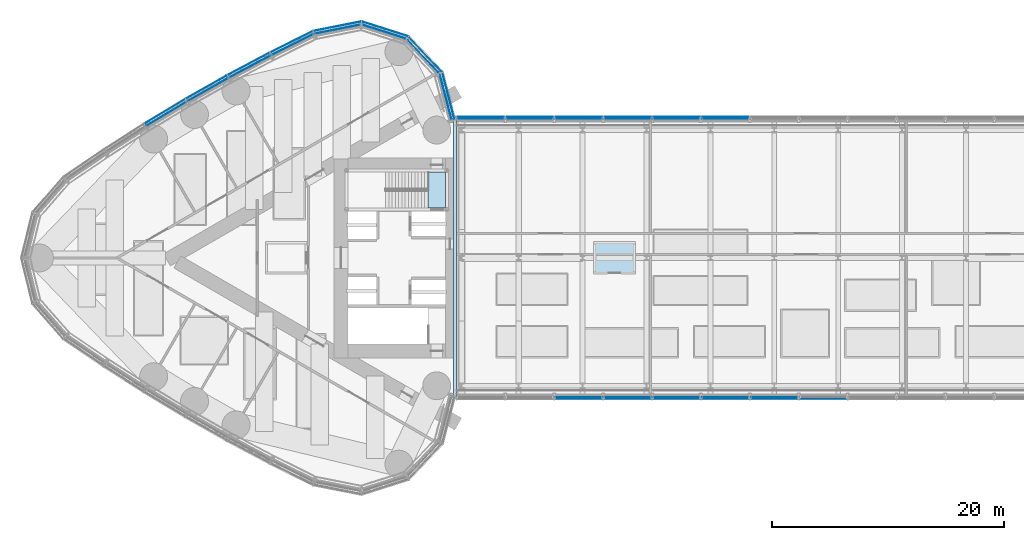
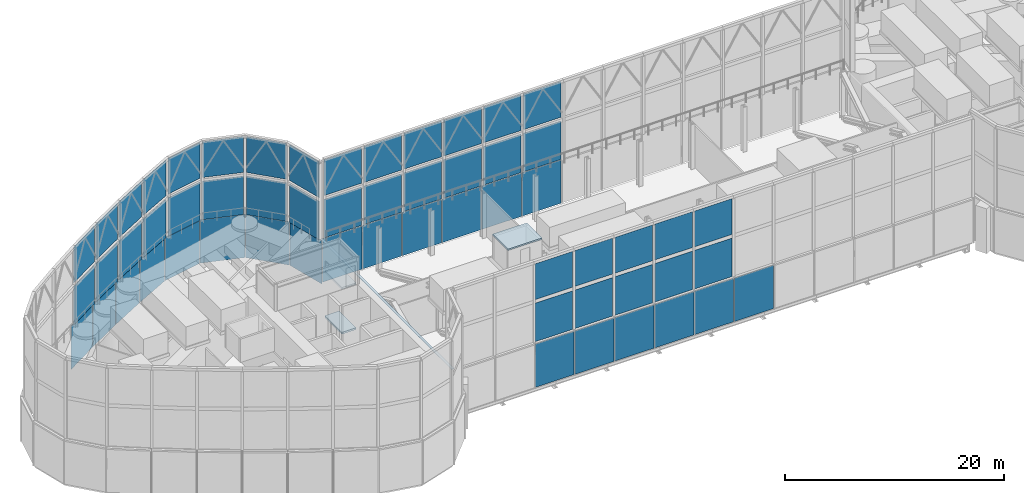
# One storey, part 23 of 33: 60 plates, 2 slabs, 7 elements without a shape of their own.
"""IFC4 building model written with IfcOpenShell, lengths in metres."""

from ifc_helpers import new_model, si_unit, direction, frame, origin, origin_2d, place, context, subcontext, project, spatial, polyline, rectangle, outline, extrude, material, layer, layer_set, type_object, element, aggregate, save


model = new_model("IFC4")

# Units and contexts
model_context = context("Model", 3, precision=1e-05, world=origin(), true_north=direction((0.0, 1.0)))
body_context = subcontext(model_context, "Body", "Model", "MODEL_VIEW")
ifc_project = project(units=[si_unit("LENGTHUNIT", "METRE"), si_unit("AREAUNIT", "SQUARE_METRE"), si_unit("VOLUMEUNIT", "CUBIC_METRE"), si_unit("PLANEANGLEUNIT", "RADIAN"), si_unit("MASSUNIT", "GRAM", prefix="KILO")], contexts=[model_context])

# Site, building, storey
site_placement = place(None, origin())
site = spatial("IfcSite", under=ifc_project, at=site_placement, CompositionType="ELEMENT")
building_placement = place(site_placement, origin())
building = spatial("IfcBuilding", under=site, at=building_placement, Name="Lancet Gate Hotel", CompositionType="ELEMENT")
storey_placement = place(building_placement, frame((0.0, 0.0, 268.300048828125)))
storey = spatial("IfcBuildingStorey", under=building, at=storey_placement, Name="L70", CompositionType="ELEMENT", Elevation=268.300048828125)

# Curtain wall, plates
ifc_material_1 = material(Name="Aluminium curtain wall", Category="aluminium")
curtain_wall_type_1 = type_object("IfcCurtainWallType", Name="Lantern crown glazing", PredefinedType="USERDEFINED", material=ifc_material_1)
curtain_wall_1_placement = place(storey_placement, origin())
curtain_wall_1 = element("IfcCurtainWall", 1, at=curtain_wall_1_placement, inside=storey, type_object=curtain_wall_type_1, Name="T1 L70 curtain wall 1", ObjectType="LANTERN GLAZING", PredefinedType="USERDEFINED")
ifc_material_2 = material(Name="Laminated low-iron glass 12-12", Category="glass")
ifc_layer_1 = layer(ifc_material_2, 0.02392578125)
ifc_layer_set_1 = layer_set([ifc_layer_1], Name="Lantern glass panel")
plate_type_1 = type_object("IfcPlateType", Name="Lantern glass panel", PredefinedType="CURTAIN_PANEL", material=ifc_layer_set_1)
plate_1_placement = place(storey_placement, frame((-28.030029296875, 13.9169921875, 0.0), z_axis=(0.0, 0.0, 1.0), x_axis=(-0.249725827997, 0.968316586056, 0.0)))
plate_1 = element("IfcPlate", 2, at=plate_1_placement, type_object=plate_type_1, Name="T1 L70 curtain wall 1 panel 1", PredefinedType="CURTAIN_PANEL", context=body_context, shape_type="SweptSolid", body=[
    extrude(rectangle(XDim=4.180419921875, YDim=0.02392578125, at=origin_2d()), origin(), (0.0, 0.0, 1.0), 4.85009765625),
])
plate_2_placement = place(storey_placement, frame((-30.018310546875, 17.514892578125, 0.0), z_axis=(0.0, 0.0, 1.0), x_axis=(-0.686882887577, 0.726768118972, 0.0)))
plate_2 = element("IfcPlate", 3, at=plate_2_placement, type_object=plate_type_1, Name="T1 L70 curtain wall 1 panel 2", PredefinedType="CURTAIN_PANEL", context=body_context, shape_type="SweptSolid", body=[
    extrude(rectangle(XDim=4.180419921875, YDim=0.02392578125, at=origin_2d()), origin(), (0.0, 0.0, 1.0), 4.85009765625),
])
plate_3_placement = place(storey_placement, frame((-33.49853515625, 19.702880859375, 0.0), z_axis=(0.0, 0.0, 1.0), x_axis=(-0.952695666833, 0.303925922549, 0.0)))
plate_3 = element("IfcPlate", 4, at=plate_3_placement, type_object=plate_type_1, Name="T1 L70 curtain wall 1 panel 3", PredefinedType="CURTAIN_PANEL", context=body_context, shape_type="SweptSolid", body=[
    extrude(rectangle(XDim=4.180419921875, YDim=0.02392578125, at=origin_2d()), origin(), (0.0, 0.0, 1.0), 4.85009765625),
])
plate_4_placement = place(storey_placement, frame((-37.602783203125, 19.9345703125, 0.0), z_axis=(0.0, 0.0, 1.0), x_axis=(-0.980856647866, -0.194731189942, 0.0)))
plate_4 = element("IfcPlate", 5, at=plate_4_placement, type_object=plate_type_1, Name="T1 L70 curtain wall 1 panel 4", PredefinedType="CURTAIN_PANEL", context=body_context, shape_type="SweptSolid", body=[
    extrude(rectangle(XDim=4.180419921875, YDim=0.02392578125, at=origin_2d()), origin(), (0.0, 0.0, 1.0), 4.85009765625),
])
plate_5_placement = place(storey_placement, frame((-41.5419921875, 18.5966796875, 0.0), z_axis=(0.0, 0.0, 1.0), x_axis=(-0.895234030262, -0.445596264639, 0.0)))
plate_5 = element("IfcPlate", 6, at=plate_5_placement, type_object=plate_type_1, Name="T1 L70 curtain wall 1 panel 5", PredefinedType="CURTAIN_PANEL", context=body_context, shape_type="SweptSolid", body=[
    extrude(rectangle(XDim=4.084228515625, YDim=0.02392578125, at=origin_2d()), origin(), (0.0, 0.0, 1.0), 4.85009765625),
])
plate_6_placement = place(storey_placement, frame((-45.23095703125, 16.6982421875, 0.0), z_axis=(0.0, 0.0, 1.0), x_axis=(-0.882915941615, -0.469531085277, 0.0)))
plate_6 = element("IfcPlate", 7, at=plate_6_placement, type_object=plate_type_1, Name="T1 L70 curtain wall 1 panel 6", PredefinedType="CURTAIN_PANEL", context=body_context, shape_type="SweptSolid", body=[
    extrude(rectangle(XDim=4.084228515625, YDim=0.02392578125, at=origin_2d()), origin(), (0.0, 0.0, 1.0), 4.85009765625),
])
plate_7_placement = place(storey_placement, frame((-48.86767578125, 14.701171875, 0.0), z_axis=(0.0, 0.0, 1.0), x_axis=(-0.869958082404, -0.493125678565, 0.0)))
plate_7 = element("IfcPlate", 8, at=plate_7_placement, type_object=plate_type_1, Name="T1 L70 curtain wall 1 panel 7", PredefinedType="CURTAIN_PANEL", context=body_context, shape_type="SweptSolid", body=[
    extrude(rectangle(XDim=4.084228515625, YDim=0.02392578125, at=origin_2d()), origin(), (0.0, 0.0, 1.0), 4.85009765625),
])
plate_8_placement = place(storey_placement, frame((-52.44921875, 12.606689453125, 0.0), z_axis=(0.0, 0.0, 1.0), x_axis=(-0.85636984205, -0.516362947574, 0.0)))
plate_8 = element("IfcPlate", 9, at=plate_8_placement, type_object=plate_type_1, Name="T1 L70 curtain wall 1 panel 8", PredefinedType="CURTAIN_PANEL", context=body_context, shape_type="SweptSolid", body=[
    extrude(rectangle(XDim=4.084228515625, YDim=0.02392578125, at=origin_2d()), origin(), (0.0, 0.0, 1.0), 4.85009765625),
])
aggregate(curtain_wall_1, [plate_1, plate_2, plate_3, plate_4, plate_5, plate_6, plate_7, plate_8])

curtain_wall_2_placement = place(storey_placement, origin())
curtain_wall_2 = element("IfcCurtainWall", 10, at=curtain_wall_2_placement, inside=storey, type_object=curtain_wall_type_1, Name="Bridge block L70 curtain wall S", ObjectType="LANTERN GLAZING", PredefinedType="USERDEFINED")
plate_9_placement = place(storey_placement, frame((-16.830810546875, -12.1201171875, 0.0), z_axis=(0.0, 0.0, 1.0), x_axis=(1.0, 0.0, 0.0)))
plate_9 = element("IfcPlate", 11, at=plate_9_placement, type_object=plate_type_1, Name="Bridge block L70 curtain wall S panel 3", PredefinedType="CURTAIN_PANEL", context=body_context, shape_type="SweptSolid", body=[
    extrude(rectangle(XDim=4.142578125, YDim=0.02392578125, at=origin_2d()), origin(), (0.0, 0.0, 1.0), 4.85009765625),
])
plate_10_placement = place(storey_placement, frame((-12.623046875, -12.1201171875, 0.0), z_axis=(0.0, 0.0, 1.0), x_axis=(1.0, 0.0, 0.0)))
plate_10 = element("IfcPlate", 12, at=plate_10_placement, type_object=plate_type_1, Name="Bridge block L70 curtain wall S panel 4", PredefinedType="CURTAIN_PANEL", context=body_context, shape_type="SweptSolid", body=[
    extrude(rectangle(XDim=4.142578125, YDim=0.02392578125, at=origin_2d()), origin(), (0.0, 0.0, 1.0), 4.85009765625),
])
plate_11_placement = place(storey_placement, frame((-8.415283203125, -12.1201171875, 0.0), z_axis=(0.0, 0.0, 1.0), x_axis=(1.0, 0.0, 0.0)))
plate_11 = element("IfcPlate", 13, at=plate_11_placement, type_object=plate_type_1, Name="Bridge block L70 curtain wall S panel 5", PredefinedType="CURTAIN_PANEL", context=body_context, shape_type="SweptSolid", body=[
    extrude(rectangle(XDim=4.142578125, YDim=0.02392578125, at=origin_2d()), origin(), (0.0, 0.0, 1.0), 4.85009765625),
])
plate_12_placement = place(storey_placement, frame((-4.207763671875, -12.1201171875, 0.0), z_axis=(0.0, 0.0, 1.0), x_axis=(1.0, 0.0, 0.0)))
plate_12 = element("IfcPlate", 14, at=plate_12_placement, type_object=plate_type_1, Name="Bridge block L70 curtain wall S panel 6", PredefinedType="CURTAIN_PANEL", context=body_context, shape_type="SweptSolid", body=[
    extrude(rectangle(XDim=4.142578125, YDim=0.02392578125, at=origin_2d()), origin(), (0.0, 0.0, 1.0), 4.85009765625),
])
plate_13_placement = place(storey_placement, frame((0.0, -12.1201171875, 0.0), z_axis=(0.0, 0.0, 1.0), x_axis=(1.0, 0.0, 0.0)))
plate_13 = element("IfcPlate", 15, at=plate_13_placement, type_object=plate_type_1, Name="Bridge block L70 curtain wall S panel 7", PredefinedType="CURTAIN_PANEL", context=body_context, shape_type="SweptSolid", body=[
    extrude(rectangle(XDim=4.142578125, YDim=0.02392578125, at=origin_2d()), origin(), (0.0, 0.0, 1.0), 4.85009765625),
])
plate_14_placement = place(storey_placement, frame((4.207763671875, -12.1201171875, 0.0), z_axis=(0.0, 0.0, 1.0), x_axis=(1.0, 0.0, 0.0)))
plate_14 = element("IfcPlate", 16, at=plate_14_placement, type_object=plate_type_1, Name="Bridge block L70 curtain wall S panel 8", PredefinedType="CURTAIN_PANEL", context=body_context, shape_type="SweptSolid", body=[
    extrude(rectangle(XDim=4.142578125, YDim=0.02392578125, at=origin_2d()), origin(), (0.0, 0.0, 1.0), 4.85009765625),
])
aggregate(curtain_wall_2, [plate_9, plate_10, plate_11, plate_12, plate_13, plate_14])

curtain_wall_3_placement = place(storey_placement, origin())
curtain_wall_3 = element("IfcCurtainWall", 17, at=curtain_wall_3_placement, inside=storey, type_object=curtain_wall_type_1, Name="Bridge block L70 curtain wall N", ObjectType="LANTERN GLAZING", PredefinedType="USERDEFINED")
plate_15_placement = place(storey_placement, frame((-4.207763671875, 12.1201171875, 0.0), z_axis=(0.0, 0.0, 1.0), x_axis=(-1.0, 0.0, 0.0)))
plate_15 = element("IfcPlate", 18, at=plate_15_placement, type_object=plate_type_1, Name="Bridge block L70 curtain wall N panel 8", PredefinedType="CURTAIN_PANEL", context=body_context, shape_type="SweptSolid", body=[
    extrude(rectangle(XDim=4.142578125, YDim=0.02392578125, at=origin_2d()), origin(), (0.0, 0.0, 1.0), 4.85009765625),
])
plate_16_placement = place(storey_placement, frame((-8.415283203125, 12.1201171875, 0.0), z_axis=(0.0, 0.0, 1.0), x_axis=(-1.0, 0.0, 0.0)))
plate_16 = element("IfcPlate", 19, at=plate_16_placement, type_object=plate_type_1, Name="Bridge block L70 curtain wall N panel 9", PredefinedType="CURTAIN_PANEL", context=body_context, shape_type="SweptSolid", body=[
    extrude(rectangle(XDim=4.142578125, YDim=0.02392578125, at=origin_2d()), origin(), (0.0, 0.0, 1.0), 4.85009765625),
])
plate_17_placement = place(storey_placement, frame((-12.623046875, 12.1201171875, 0.0), z_axis=(0.0, 0.0, 1.0), x_axis=(-1.0, 0.0, 0.0)))
plate_17 = element("IfcPlate", 20, at=plate_17_placement, type_object=plate_type_1, Name="Bridge block L70 curtain wall N panel 10", PredefinedType="CURTAIN_PANEL", context=body_context, shape_type="SweptSolid", body=[
    extrude(rectangle(XDim=4.142578125, YDim=0.02392578125, at=origin_2d()), origin(), (0.0, 0.0, 1.0), 4.85009765625),
])
plate_18_placement = place(storey_placement, frame((-16.830810546875, 12.1201171875, 0.0), z_axis=(0.0, 0.0, 1.0), x_axis=(-1.0, 0.0, 0.0)))
plate_18 = element("IfcPlate", 21, at=plate_18_placement, type_object=plate_type_1, Name="Bridge block L70 curtain wall N panel 11", PredefinedType="CURTAIN_PANEL", context=body_context, shape_type="SweptSolid", body=[
    extrude(rectangle(XDim=4.142578125, YDim=0.02392578125, at=origin_2d()), origin(), (0.0, 0.0, 1.0), 4.85009765625),
])
plate_19_placement = place(storey_placement, frame((-21.03857421875, 12.1201171875, 0.0), z_axis=(0.0, 0.0, 1.0), x_axis=(-1.0, 0.0, 0.0)))
plate_19 = element("IfcPlate", 22, at=plate_19_placement, type_object=plate_type_1, Name="Bridge block L70 curtain wall N panel 12", PredefinedType="CURTAIN_PANEL", context=body_context, shape_type="SweptSolid", body=[
    extrude(rectangle(XDim=4.142578125, YDim=0.02392578125, at=origin_2d()), origin(), (0.0, 0.0, 1.0), 4.85009765625),
])
plate_20_placement = place(storey_placement, frame((-25.24609375, 12.1201171875, 0.0), z_axis=(0.0, 0.0, 1.0), x_axis=(-1.0, 0.0, 0.0)))
plate_20 = element("IfcPlate", 23, at=plate_20_placement, type_object=plate_type_1, Name="Bridge block L70 curtain wall N panel 13", PredefinedType="CURTAIN_PANEL", context=body_context, shape_type="SweptSolid", body=[
    extrude(rectangle(XDim=4.142578125, YDim=0.02392578125, at=origin_2d()), origin(), (0.0, 0.0, 1.0), 4.85009765625),
])
aggregate(curtain_wall_3, [plate_15, plate_16, plate_17, plate_18, plate_19, plate_20])

ifc_material_3 = material(Name="Steel framed lantern screen", Category="steel")
curtain_wall_type_2 = type_object("IfcCurtainWallType", Name="Lantern screen", PredefinedType="USERDEFINED", material=ifc_material_3)
curtain_wall_4_placement = place(storey_placement, origin())
curtain_wall_4 = element("IfcCurtainWall", 24, at=curtain_wall_4_placement, inside=storey, type_object=curtain_wall_type_2, Name="T1 lantern screen 1", ObjectType="LANTERN SCREEN", PredefinedType="USERDEFINED")
ifc_material_4 = material(Name="Laminated low-iron glass 12-12", Category="glass")
ifc_layer_2 = layer(ifc_material_4, 0.02392578125)
ifc_layer_set_2 = layer_set([ifc_layer_2], Name="Lantern screen glass panel")
plate_type_2 = type_object("IfcPlateType", Name="Lantern screen glass panel", PredefinedType="CURTAIN_PANEL", material=ifc_layer_set_2)
plate_21_placement = place(storey_placement, frame((-28.260498046875, 13.8095703125, 5.0), z_axis=(0.0, 0.0, 1.0), x_axis=(-0.249725827997, 0.968316586056, 0.0)))
plate_21 = element("IfcPlate", 25, at=plate_21_placement, type_object=plate_type_2, Name="T1 lantern screen 1 glass 1L", PredefinedType="CURTAIN_PANEL", context=body_context, shape_type="SweptSolid", body=[
    extrude(rectangle(XDim=3.902587890625, YDim=0.02392578125, at=origin_2d()), origin(), (0.0, 0.0, 1.0), 4.300048828125),
])
plate_22_placement = place(storey_placement, frame((-28.260498046875, 13.8095703125, 9.699951171875), z_axis=(0.0, 0.0, 1.0), x_axis=(-0.249725827997, 0.968316586056, 0.0)))
plate_22 = element("IfcPlate", 26, at=plate_22_placement, type_object=plate_type_2, Name="T1 lantern screen 1 glass 1U", PredefinedType="CURTAIN_PANEL", context=body_context, shape_type="SweptSolid", body=[
    extrude(rectangle(XDim=3.902587890625, YDim=0.02392578125, at=origin_2d()), origin(), (0.0, 0.0, 1.0), 4.0),
])
plate_23_placement = place(storey_placement, frame((-30.199951171875, 17.34326171875, 5.0), z_axis=(0.0, 0.0, 1.0), x_axis=(-0.686882887577, 0.726768118972, 0.0)))
plate_23 = element("IfcPlate", 27, at=plate_23_placement, type_object=plate_type_2, Name="T1 lantern screen 1 glass 2L", PredefinedType="CURTAIN_PANEL", context=body_context, shape_type="SweptSolid", body=[
    extrude(rectangle(XDim=3.8095703125, YDim=0.02392578125, at=origin_2d()), origin(), (0.0, 0.0, 1.0), 4.300048828125),
])
plate_24_placement = place(storey_placement, frame((-30.199951171875, 17.34326171875, 9.699951171875), z_axis=(0.0, 0.0, 1.0), x_axis=(-0.686882887577, 0.726768118972, 0.0)))
plate_24 = element("IfcPlate", 28, at=plate_24_placement, type_object=plate_type_2, Name="T1 lantern screen 1 glass 2U", PredefinedType="CURTAIN_PANEL", context=body_context, shape_type="SweptSolid", body=[
    extrude(rectangle(XDim=3.8095703125, YDim=0.02392578125, at=origin_2d()), origin(), (0.0, 0.0, 1.0), 4.0),
])
plate_25_placement = place(storey_placement, frame((-33.574462890625, 19.464599609375, 5.0), z_axis=(0.0, 0.0, 1.0), x_axis=(-0.952695666833, 0.303925922549, 0.0)))
plate_25 = element("IfcPlate", 29, at=plate_25_placement, type_object=plate_type_2, Name="T1 lantern screen 1 glass 3L", PredefinedType="CURTAIN_PANEL", context=body_context, shape_type="SweptSolid", body=[
    extrude(rectangle(XDim=3.8095703125, YDim=0.02392578125, at=origin_2d()), origin(), (0.0, 0.0, 1.0), 4.300048828125),
])
plate_26_placement = place(storey_placement, frame((-33.574462890625, 19.464599609375, 9.699951171875), z_axis=(0.0, 0.0, 1.0), x_axis=(-0.952695666833, 0.303925922549, 0.0)))
plate_26 = element("IfcPlate", 30, at=plate_26_placement, type_object=plate_type_2, Name="T1 lantern screen 1 glass 3U", PredefinedType="CURTAIN_PANEL", context=body_context, shape_type="SweptSolid", body=[
    extrude(rectangle(XDim=3.8095703125, YDim=0.02392578125, at=origin_2d()), origin(), (0.0, 0.0, 1.0), 4.0),
])
plate_27_placement = place(storey_placement, frame((-37.575927734375, 19.68505859375, 5.0), z_axis=(0.0, 0.0, 1.0), x_axis=(-0.980856647866, -0.194731189942, 0.0)))
plate_27 = element("IfcPlate", 31, at=plate_27_placement, type_object=plate_type_2, Name="T1 lantern screen 1 glass 4L", PredefinedType="CURTAIN_PANEL", context=body_context, shape_type="SweptSolid", body=[
    extrude(rectangle(XDim=3.854248046875, YDim=0.02392578125, at=origin_2d()), origin(), (0.0, 0.0, 1.0), 4.300048828125),
])
plate_28_placement = place(storey_placement, frame((-37.575927734375, 19.68505859375, 9.699951171875), z_axis=(0.0, 0.0, 1.0), x_axis=(-0.980856647866, -0.194731189942, 0.0)))
plate_28 = element("IfcPlate", 32, at=plate_28_placement, type_object=plate_type_2, Name="T1 lantern screen 1 glass 4U", PredefinedType="CURTAIN_PANEL", context=body_context, shape_type="SweptSolid", body=[
    extrude(rectangle(XDim=3.854248046875, YDim=0.02392578125, at=origin_2d()), origin(), (0.0, 0.0, 1.0), 4.0),
])
plate_29_placement = place(storey_placement, frame((-41.449951171875, 18.36328125, 5.0), z_axis=(0.0, 0.0, 1.0), x_axis=(-0.895234030262, -0.445596264639, 0.0)))
plate_29 = element("IfcPlate", 33, at=plate_29_placement, type_object=plate_type_2, Name="T1 lantern screen 1 glass 5L", PredefinedType="CURTAIN_PANEL", context=body_context, shape_type="SweptSolid", body=[
    extrude(rectangle(XDim=3.84619140625, YDim=0.02392578125, at=origin_2d()), origin(), (0.0, 0.0, 1.0), 4.300048828125),
])
plate_30_placement = place(storey_placement, frame((-41.449951171875, 18.36328125, 9.699951171875), z_axis=(0.0, 0.0, 1.0), x_axis=(-0.895234030262, -0.445596264639, 0.0)))
plate_30 = element("IfcPlate", 34, at=plate_30_placement, type_object=plate_type_2, Name="T1 lantern screen 1 glass 5U", PredefinedType="CURTAIN_PANEL", context=body_context, shape_type="SweptSolid", body=[
    extrude(rectangle(XDim=3.84619140625, YDim=0.02392578125, at=origin_2d()), origin(), (0.0, 0.0, 1.0), 4.0),
])
plate_31_placement = place(storey_placement, frame((-45.11376953125, 16.4775390625, 5.0), z_axis=(0.0, 0.0, 1.0), x_axis=(-0.882915941615, -0.469531085277, 0.0)))
plate_31 = element("IfcPlate", 35, at=plate_31_placement, type_object=plate_type_2, Name="T1 lantern screen 1 glass 6L", PredefinedType="CURTAIN_PANEL", context=body_context, shape_type="SweptSolid", body=[
    extrude(rectangle(XDim=3.8896484375, YDim=0.02392578125, at=origin_2d()), origin(), (0.0, 0.0, 1.0), 4.300048828125),
])
plate_32_placement = place(storey_placement, frame((-45.11376953125, 16.4775390625, 9.699951171875), z_axis=(0.0, 0.0, 1.0), x_axis=(-0.882915941615, -0.469531085277, 0.0)))
plate_32 = element("IfcPlate", 36, at=plate_32_placement, type_object=plate_type_2, Name="T1 lantern screen 1 glass 6U", PredefinedType="CURTAIN_PANEL", context=body_context, shape_type="SweptSolid", body=[
    extrude(rectangle(XDim=3.8896484375, YDim=0.02392578125, at=origin_2d()), origin(), (0.0, 0.0, 1.0), 4.0),
])
plate_33_placement = place(storey_placement, frame((-48.744384765625, 14.483642578125, 5.0), z_axis=(0.0, 0.0, 1.0), x_axis=(-0.869958082404, -0.493125678565, 0.0)))
plate_33 = element("IfcPlate", 37, at=plate_33_placement, type_object=plate_type_2, Name="T1 lantern screen 1 glass 7L", PredefinedType="CURTAIN_PANEL", context=body_context, shape_type="SweptSolid", body=[
    extrude(rectangle(XDim=3.8896484375, YDim=0.02392578125, at=origin_2d()), origin(), (0.0, 0.0, 1.0), 4.300048828125),
])
plate_34_placement = place(storey_placement, frame((-48.744384765625, 14.483642578125, 9.699951171875), z_axis=(0.0, 0.0, 1.0), x_axis=(-0.869958082404, -0.493125678565, 0.0)))
plate_34 = element("IfcPlate", 38, at=plate_34_placement, type_object=plate_type_2, Name="T1 lantern screen 1 glass 7U", PredefinedType="CURTAIN_PANEL", context=body_context, shape_type="SweptSolid", body=[
    extrude(rectangle(XDim=3.8896484375, YDim=0.02392578125, at=origin_2d()), origin(), (0.0, 0.0, 1.0), 4.0),
])
plate_35_placement = place(storey_placement, frame((-52.320068359375, 12.392578125, 5.0), z_axis=(0.0, 0.0, 1.0), x_axis=(-0.85636984205, -0.516362947574, 0.0)))
plate_35 = element("IfcPlate", 39, at=plate_35_placement, type_object=plate_type_2, Name="T1 lantern screen 1 glass 8L", PredefinedType="CURTAIN_PANEL", context=body_context, shape_type="SweptSolid", body=[
    extrude(rectangle(XDim=3.8896484375, YDim=0.02392578125, at=origin_2d()), origin(), (0.0, 0.0, 1.0), 4.300048828125),
])
plate_36_placement = place(storey_placement, frame((-52.320068359375, 12.392578125, 9.699951171875), z_axis=(0.0, 0.0, 1.0), x_axis=(-0.85636984205, -0.516362947574, 0.0)))
plate_36 = element("IfcPlate", 40, at=plate_36_placement, type_object=plate_type_2, Name="T1 lantern screen 1 glass 8U", PredefinedType="CURTAIN_PANEL", context=body_context, shape_type="SweptSolid", body=[
    extrude(rectangle(XDim=3.8896484375, YDim=0.02392578125, at=origin_2d()), origin(), (0.0, 0.0, 1.0), 4.0),
])
aggregate(curtain_wall_4, [plate_21, plate_22, plate_23, plate_24, plate_25, plate_26, plate_27, plate_28, plate_29, plate_30, plate_31, plate_32, plate_33, plate_34, plate_35, plate_36])

curtain_wall_5_placement = place(storey_placement, origin())
curtain_wall_5 = element("IfcCurtainWall", 41, at=curtain_wall_5_placement, inside=storey, type_object=curtain_wall_type_2, Name="Bridge block lantern screen S", ObjectType="LANTERN SCREEN", PredefinedType="USERDEFINED")
plate_37_placement = place(storey_placement, frame((-16.830810546875, -11.989990234375, 5.0), z_axis=(0.0, 0.0, 1.0), x_axis=(1.0, 0.0, 0.0)))
plate_37 = element("IfcPlate", 42, at=plate_37_placement, type_object=plate_type_2, Name="Bridge block lantern screen S glass 3L", PredefinedType="CURTAIN_PANEL", context=body_context, shape_type="SweptSolid", body=[
    extrude(rectangle(XDim=3.957763671875, YDim=0.02392578125, at=origin_2d()), origin(), (0.0, 0.0, 1.0), 4.300048828125),
])
plate_38_placement = place(storey_placement, frame((-16.830810546875, -11.989990234375, 9.699951171875), z_axis=(0.0, 0.0, 1.0), x_axis=(1.0, 0.0, 0.0)))
plate_38 = element("IfcPlate", 43, at=plate_38_placement, type_object=plate_type_2, Name="Bridge block lantern screen S glass 3U", PredefinedType="CURTAIN_PANEL", context=body_context, shape_type="SweptSolid", body=[
    extrude(rectangle(XDim=3.957763671875, YDim=0.02392578125, at=origin_2d()), origin(), (0.0, 0.0, 1.0), 4.0),
])
plate_39_placement = place(storey_placement, frame((-12.623046875, -11.989990234375, 5.0), z_axis=(0.0, 0.0, 1.0), x_axis=(1.0, 0.0, 0.0)))
plate_39 = element("IfcPlate", 44, at=plate_39_placement, type_object=plate_type_2, Name="Bridge block lantern screen S glass 4L", PredefinedType="CURTAIN_PANEL", context=body_context, shape_type="SweptSolid", body=[
    extrude(rectangle(XDim=3.957763671875, YDim=0.02392578125, at=origin_2d()), origin(), (0.0, 0.0, 1.0), 4.300048828125),
])
plate_40_placement = place(storey_placement, frame((-12.623046875, -11.989990234375, 9.699951171875), z_axis=(0.0, 0.0, 1.0), x_axis=(1.0, 0.0, 0.0)))
plate_40 = element("IfcPlate", 45, at=plate_40_placement, type_object=plate_type_2, Name="Bridge block lantern screen S glass 4U", PredefinedType="CURTAIN_PANEL", context=body_context, shape_type="SweptSolid", body=[
    extrude(rectangle(XDim=3.957763671875, YDim=0.02392578125, at=origin_2d()), origin(), (0.0, 0.0, 1.0), 4.0),
])
plate_41_placement = place(storey_placement, frame((-8.415283203125, -11.989990234375, 5.0), z_axis=(0.0, 0.0, 1.0), x_axis=(1.0, 0.0, 0.0)))
plate_41 = element("IfcPlate", 46, at=plate_41_placement, type_object=plate_type_2, Name="Bridge block lantern screen S glass 5L", PredefinedType="CURTAIN_PANEL", context=body_context, shape_type="SweptSolid", body=[
    extrude(rectangle(XDim=3.957763671875, YDim=0.02392578125, at=origin_2d()), origin(), (0.0, 0.0, 1.0), 4.300048828125),
])
plate_42_placement = place(storey_placement, frame((-8.415283203125, -11.989990234375, 9.699951171875), z_axis=(0.0, 0.0, 1.0), x_axis=(1.0, 0.0, 0.0)))
plate_42 = element("IfcPlate", 47, at=plate_42_placement, type_object=plate_type_2, Name="Bridge block lantern screen S glass 5U", PredefinedType="CURTAIN_PANEL", context=body_context, shape_type="SweptSolid", body=[
    extrude(rectangle(XDim=3.957763671875, YDim=0.02392578125, at=origin_2d()), origin(), (0.0, 0.0, 1.0), 4.0),
])
plate_43_placement = place(storey_placement, frame((-4.207763671875, -11.989990234375, 5.0), z_axis=(0.0, 0.0, 1.0), x_axis=(1.0, 0.0, 0.0)))
plate_43 = element("IfcPlate", 48, at=plate_43_placement, type_object=plate_type_2, Name="Bridge block lantern screen S glass 6L", PredefinedType="CURTAIN_PANEL", context=body_context, shape_type="SweptSolid", body=[
    extrude(rectangle(XDim=3.957763671875, YDim=0.02392578125, at=origin_2d()), origin(), (0.0, 0.0, 1.0), 4.300048828125),
])
plate_44_placement = place(storey_placement, frame((-4.207763671875, -11.989990234375, 9.699951171875), z_axis=(0.0, 0.0, 1.0), x_axis=(1.0, 0.0, 0.0)))
plate_44 = element("IfcPlate", 49, at=plate_44_placement, type_object=plate_type_2, Name="Bridge block lantern screen S glass 6U", PredefinedType="CURTAIN_PANEL", context=body_context, shape_type="SweptSolid", body=[
    extrude(rectangle(XDim=3.957763671875, YDim=0.02392578125, at=origin_2d()), origin(), (0.0, 0.0, 1.0), 4.0),
])
plate_45_placement = place(storey_placement, frame((0.0, -11.989990234375, 5.0), z_axis=(0.0, 0.0, 1.0), x_axis=(1.0, 0.0, 0.0)))
plate_45 = element("IfcPlate", 50, at=plate_45_placement, type_object=plate_type_2, Name="Bridge block lantern screen S glass 7L", PredefinedType="CURTAIN_PANEL", context=body_context, shape_type="SweptSolid", body=[
    extrude(rectangle(XDim=3.957763671875, YDim=0.02392578125, at=origin_2d()), origin(), (0.0, 0.0, 1.0), 4.300048828125),
])
plate_46_placement = place(storey_placement, frame((0.0, -11.989990234375, 9.699951171875), z_axis=(0.0, 0.0, 1.0), x_axis=(1.0, 0.0, 0.0)))
plate_46 = element("IfcPlate", 51, at=plate_46_placement, type_object=plate_type_2, Name="Bridge block lantern screen S glass 7U", PredefinedType="CURTAIN_PANEL", context=body_context, shape_type="SweptSolid", body=[
    extrude(rectangle(XDim=3.957763671875, YDim=0.02392578125, at=origin_2d()), origin(), (0.0, 0.0, 1.0), 4.0),
])
aggregate(curtain_wall_5, [plate_37, plate_38, plate_39, plate_40, plate_41, plate_42, plate_43, plate_44, plate_45, plate_46])

curtain_wall_6_placement = place(storey_placement, origin())
curtain_wall_6 = element("IfcCurtainWall", 52, at=curtain_wall_6_placement, inside=storey, type_object=curtain_wall_type_2, Name="Bridge block lantern screen N", ObjectType="LANTERN SCREEN", PredefinedType="USERDEFINED")
plate_47_placement = place(storey_placement, frame((-4.207763671875, 11.989990234375, 5.0), z_axis=(0.0, 0.0, 1.0), x_axis=(-1.0, 0.0, 0.0)))
plate_47 = element("IfcPlate", 53, at=plate_47_placement, type_object=plate_type_2, Name="Bridge block lantern screen N glass 8L", PredefinedType="CURTAIN_PANEL", context=body_context, shape_type="SweptSolid", body=[
    extrude(rectangle(XDim=3.957763671875, YDim=0.02392578125, at=origin_2d()), origin(), (0.0, 0.0, 1.0), 4.300048828125),
])
plate_48_placement = place(storey_placement, frame((-4.207763671875, 11.989990234375, 9.699951171875), z_axis=(0.0, 0.0, 1.0), x_axis=(-1.0, 0.0, 0.0)))
plate_48 = element("IfcPlate", 54, at=plate_48_placement, type_object=plate_type_2, Name="Bridge block lantern screen N glass 8U", PredefinedType="CURTAIN_PANEL", context=body_context, shape_type="SweptSolid", body=[
    extrude(rectangle(XDim=3.957763671875, YDim=0.02392578125, at=origin_2d()), origin(), (0.0, 0.0, 1.0), 4.0),
])
plate_49_placement = place(storey_placement, frame((-8.415283203125, 11.989990234375, 5.0), z_axis=(0.0, 0.0, 1.0), x_axis=(-1.0, 0.0, 0.0)))
plate_49 = element("IfcPlate", 55, at=plate_49_placement, type_object=plate_type_2, Name="Bridge block lantern screen N glass 9L", PredefinedType="CURTAIN_PANEL", context=body_context, shape_type="SweptSolid", body=[
    extrude(rectangle(XDim=3.957763671875, YDim=0.02392578125, at=origin_2d()), origin(), (0.0, 0.0, 1.0), 4.300048828125),
])
plate_50_placement = place(storey_placement, frame((-8.415283203125, 11.989990234375, 9.699951171875), z_axis=(0.0, 0.0, 1.0), x_axis=(-1.0, 0.0, 0.0)))
plate_50 = element("IfcPlate", 56, at=plate_50_placement, type_object=plate_type_2, Name="Bridge block lantern screen N glass 9U", PredefinedType="CURTAIN_PANEL", context=body_context, shape_type="SweptSolid", body=[
    extrude(rectangle(XDim=3.957763671875, YDim=0.02392578125, at=origin_2d()), origin(), (0.0, 0.0, 1.0), 4.0),
])
plate_51_placement = place(storey_placement, frame((-12.623046875, 11.989990234375, 5.0), z_axis=(0.0, 0.0, 1.0), x_axis=(-1.0, 0.0, 0.0)))
plate_51 = element("IfcPlate", 57, at=plate_51_placement, type_object=plate_type_2, Name="Bridge block lantern screen N glass 10L", PredefinedType="CURTAIN_PANEL", context=body_context, shape_type="SweptSolid", body=[
    extrude(rectangle(XDim=3.957763671875, YDim=0.02392578125, at=origin_2d()), origin(), (0.0, 0.0, 1.0), 4.300048828125),
])
plate_52_placement = place(storey_placement, frame((-12.623046875, 11.989990234375, 9.699951171875), z_axis=(0.0, 0.0, 1.0), x_axis=(-1.0, 0.0, 0.0)))
plate_52 = element("IfcPlate", 58, at=plate_52_placement, type_object=plate_type_2, Name="Bridge block lantern screen N glass 10U", PredefinedType="CURTAIN_PANEL", context=body_context, shape_type="SweptSolid", body=[
    extrude(rectangle(XDim=3.957763671875, YDim=0.02392578125, at=origin_2d()), origin(), (0.0, 0.0, 1.0), 4.0),
])
plate_53_placement = place(storey_placement, frame((-16.830810546875, 11.989990234375, 5.0), z_axis=(0.0, 0.0, 1.0), x_axis=(-1.0, 0.0, 0.0)))
plate_53 = element("IfcPlate", 59, at=plate_53_placement, type_object=plate_type_2, Name="Bridge block lantern screen N glass 11L", PredefinedType="CURTAIN_PANEL", context=body_context, shape_type="SweptSolid", body=[
    extrude(rectangle(XDim=3.957763671875, YDim=0.02392578125, at=origin_2d()), origin(), (0.0, 0.0, 1.0), 4.300048828125),
])
plate_54_placement = place(storey_placement, frame((-16.830810546875, 11.989990234375, 9.699951171875), z_axis=(0.0, 0.0, 1.0), x_axis=(-1.0, 0.0, 0.0)))
plate_54 = element("IfcPlate", 60, at=plate_54_placement, type_object=plate_type_2, Name="Bridge block lantern screen N glass 11U", PredefinedType="CURTAIN_PANEL", context=body_context, shape_type="SweptSolid", body=[
    extrude(rectangle(XDim=3.957763671875, YDim=0.02392578125, at=origin_2d()), origin(), (0.0, 0.0, 1.0), 4.0),
])
plate_55_placement = place(storey_placement, frame((-21.03857421875, 11.989990234375, 5.0), z_axis=(0.0, 0.0, 1.0), x_axis=(-1.0, 0.0, 0.0)))
plate_55 = element("IfcPlate", 61, at=plate_55_placement, type_object=plate_type_2, Name="Bridge block lantern screen N glass 12L", PredefinedType="CURTAIN_PANEL", context=body_context, shape_type="SweptSolid", body=[
    extrude(rectangle(XDim=3.957763671875, YDim=0.02392578125, at=origin_2d()), origin(), (0.0, 0.0, 1.0), 4.300048828125),
])
plate_56_placement = place(storey_placement, frame((-21.03857421875, 11.989990234375, 9.699951171875), z_axis=(0.0, 0.0, 1.0), x_axis=(-1.0, 0.0, 0.0)))
plate_56 = element("IfcPlate", 62, at=plate_56_placement, type_object=plate_type_2, Name="Bridge block lantern screen N glass 12U", PredefinedType="CURTAIN_PANEL", context=body_context, shape_type="SweptSolid", body=[
    extrude(rectangle(XDim=3.957763671875, YDim=0.02392578125, at=origin_2d()), origin(), (0.0, 0.0, 1.0), 4.0),
])
plate_57_placement = place(storey_placement, frame((-25.24609375, 11.989990234375, 5.0), z_axis=(0.0, 0.0, 1.0), x_axis=(-1.0, 0.0, 0.0)))
plate_57 = element("IfcPlate", 63, at=plate_57_placement, type_object=plate_type_2, Name="Bridge block lantern screen N glass 13L", PredefinedType="CURTAIN_PANEL", context=body_context, shape_type="SweptSolid", body=[
    extrude(rectangle(XDim=3.957763671875, YDim=0.02392578125, at=origin_2d()), origin(), (0.0, 0.0, 1.0), 4.300048828125),
])
plate_58_placement = place(storey_placement, frame((-25.24609375, 11.989990234375, 9.699951171875), z_axis=(0.0, 0.0, 1.0), x_axis=(-1.0, 0.0, 0.0)))
plate_58 = element("IfcPlate", 64, at=plate_58_placement, type_object=plate_type_2, Name="Bridge block lantern screen N glass 13U", PredefinedType="CURTAIN_PANEL", context=body_context, shape_type="SweptSolid", body=[
    extrude(rectangle(XDim=3.957763671875, YDim=0.02392578125, at=origin_2d()), origin(), (0.0, 0.0, 1.0), 4.0),
])
aggregate(curtain_wall_6, [plate_47, plate_48, plate_49, plate_50, plate_51, plate_52, plate_53, plate_54, plate_55, plate_56, plate_57, plate_58])

# Plates
ifc_material_5 = material(Name="Aluminium chequer plate", Category="aluminium")
ifc_layer_3 = layer(ifc_material_5, 0.014892578125)
ifc_layer_set_3 = layer_set([ifc_layer_3], Name="Movement joint cover plate 15")
plate_type_3 = type_object("IfcPlateType", Name="Movement joint cover plate 15", PredefinedType="SHEET", material=ifc_layer_set_3)
plate_59_placement = place(storey_placement, frame((0.0, 0.0, 4.98486328125)))
element("IfcPlate", 65, at=plate_59_placement, inside=storey, type_object=plate_type_3, Name="Movement joint cover plate T1 L70", PredefinedType="SHEET", context=body_context, shape_type="SweptSolid", body=[
    extrude(outline(polyline([(-27.35009765625, 12.0), (-27.65966796875, 12.0), (-27.6201171875, 11.84619140625), (-27.6201171875, -11.84619140625), (-27.65966796875, -12.0), (-27.35009765625, -12.0), (-27.35009765625, 12.0)])), origin(), (0.0, 0.0, 1.0), 0.01513671875),
])
ifc_material_6 = material(Name="Aluminium roof deck sheet", Category="aluminium")
ifc_layer_4 = layer(ifc_material_6, 0.14990234375)
ifc_layer_set_4 = layer_set([ifc_layer_4], Name="Roof access store deck plate 150")
plate_type_4 = type_object("IfcPlateType", Name="Roof access store deck plate 150", PredefinedType="SHEET", material=ifc_layer_set_4)
plate_60_placement = place(storey_placement, frame((0.0, 0.0, 7.599853515625)))
element("IfcPlate", 66, at=plate_60_placement, inside=storey, type_object=plate_type_4, Name="Bridge block roof access store deck", PredefinedType="SHEET", context=body_context, shape_type="SweptSolid", body=[
    extrude(outline(polyline([(-11.949951171875, -1.39990234375), (-11.949951171875, 1.39990234375), (-15.550048828125, 1.39990234375), (-15.550048828125, -1.39990234375), (-11.949951171875, -1.39990234375)])), origin(), (0.0, 0.0, 1.0), 0.150146484375),
])

# Stair, slab
ifc_material_7 = material(Name="Exit stair 28 risers 1500")
stair_type = type_object("IfcStairType", Name="Exit stair 28 risers 1500", PredefinedType="HALF_TURN_STAIR", material=ifc_material_7)
stair_placement = place(storey_placement, origin())
stair = element("IfcStair", 67, at=stair_placement, inside=storey, type_object=stair_type, Name="T1 stair 1 L70", PredefinedType="HALF_TURN_STAIR")
ifc_material_8 = material(Name="Concrete C40/50", Category="concrete")
ifc_layer_5 = layer(ifc_material_8, 0.199951171875)
ifc_layer_set_5 = layer_set([ifc_layer_5], Name="Stair landing 200")
slab_type = type_object("IfcSlabType", Name="Stair landing 200", PredefinedType="LANDING", material=ifc_layer_set_5)
slab_1_placement = place(storey_placement, frame((0.0, 0.0, -0.199951171875)))
slab_1 = element("IfcSlab", 68, at=slab_1_placement, type_object=slab_type, Name="ST1 landing 1", PredefinedType="LANDING", context=body_context, shape_type="SweptSolid", body=[
    extrude(outline(polyline([(-28.300048828125, 7.39990234375), (-29.800048828125, 7.39990234375), (-29.800048828125, 4.300048828125), (-28.300048828125, 4.300048828125), (-28.300048828125, 7.39990234375)])), origin(), (0.0, 0.0, 1.0), 0.199951171875),
])
aggregate(stair, [slab_1])

# Slab
slab_2_placement = place(storey_placement, frame((0.0, 0.0, 4.800048828125)))
element("IfcSlab", 69, at=slab_2_placement, inside=storey, type_object=slab_type, Name="ST1 top landing L70 roof", PredefinedType="LANDING", context=body_context, shape_type="SweptSolid", body=[
    extrude(outline(polyline([(-28.300048828125, 7.39990234375), (-29.800048828125, 7.39990234375), (-29.800048828125, 4.300048828125), (-28.300048828125, 4.300048828125), (-28.300048828125, 7.39990234375)])), origin(), (0.0, 0.0, 1.0), 0.199951171875),
])

save(model, "model.ifc")
